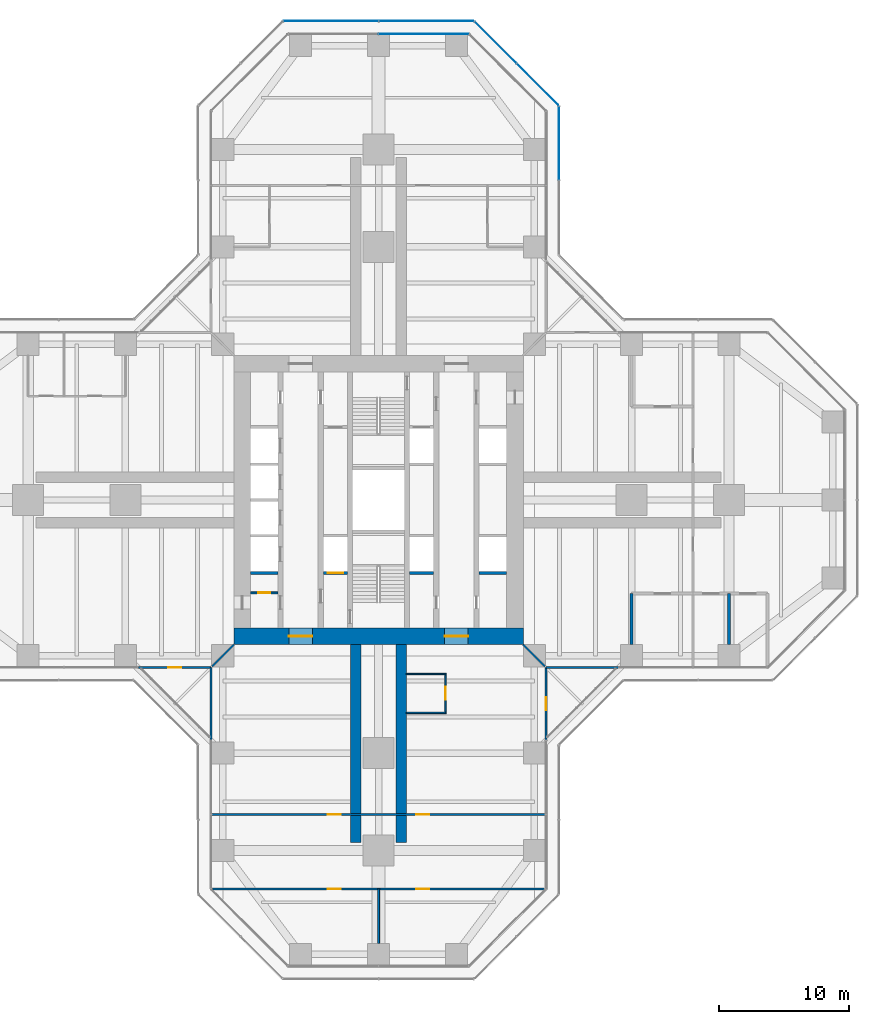
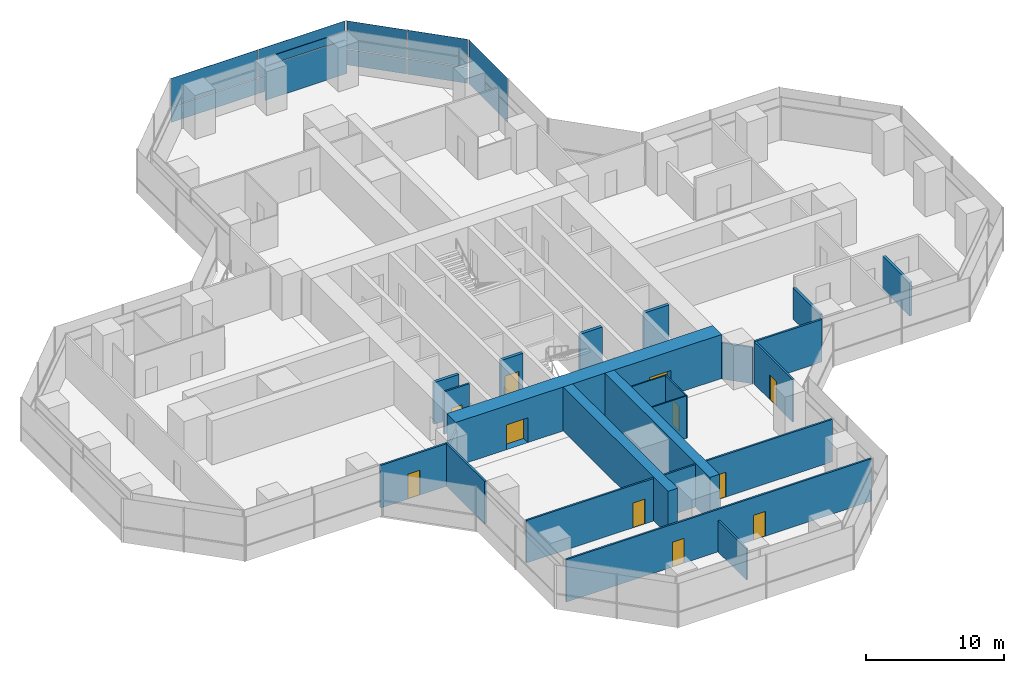
# One storey, part 17 of 22: 22 walls, 12 plates, 11 doors, 11 openings, 4 elements without a shape of their own.
"""IFC4 building model written with IfcOpenShell, lengths in metres."""

from ifc_helpers import new_model, si_unit, direction, frame, frame_2d, origin, origin_2d, place, context, subcontext, project, spatial, rectangle, extrude, material, layer, layer_set, type_object, element, fill, aggregate, save


model = new_model("IFC4")

# Units and contexts
model_context = context("Model", 3, precision=1e-05, world=origin(), true_north=direction((0.0, 1.0)))
body_context = subcontext(model_context, "Body", "Model", "MODEL_VIEW")
ifc_project = project(units=[si_unit("LENGTHUNIT", "METRE"), si_unit("AREAUNIT", "SQUARE_METRE"), si_unit("VOLUMEUNIT", "CUBIC_METRE"), si_unit("PLANEANGLEUNIT", "RADIAN"), si_unit("MASSUNIT", "GRAM", prefix="KILO")], contexts=[model_context])

# Site, building, storey
site_placement = place(None, origin())
site = spatial("IfcSite", under=ifc_project, at=site_placement, CompositionType="ELEMENT")
building_placement = place(site_placement, origin())
building = spatial("IfcBuilding", under=site, at=building_placement, Name="Mizan Broadcast Tower", CompositionType="ELEMENT")
storey_placement = place(building_placement, frame((0.0, 0.0, 82.5)))
storey = spatial("IfcBuildingStorey", under=building, at=storey_placement, Name="L17", CompositionType="ELEMENT", Elevation=82.5)

# Curtain wall, plates
ifc_material_1 = material(Name="Aluminium framed glazing", Category="aluminium")
curtain_wall_type_1 = type_object("IfcCurtainWallType", Name="INNER SKIN LOW ZONE", PredefinedType="USERDEFINED", material=ifc_material_1)
curtain_wall_1_placement = place(storey_placement, origin())
curtain_wall_1 = element("IfcCurtainWall", 1, at=curtain_wall_1_placement, inside=storey, type_object=curtain_wall_type_1, Name="Inner skin low zone L17 N end", ObjectType="INNER SKIN LOW ZONE", PredefinedType="USERDEFINED")
ifc_material_2 = material(Name="Double glazing, clear low-e", Category="glass")
ifc_layer_1 = layer(ifc_material_2, 0.028076171875)
ifc_layer_set_1 = layer_set([ifc_layer_1], Name="Double glazing, clear low-e")
plate_type_1 = type_object("IfcPlateType", Name="INNER SKIN GLAZING UNIT", PredefinedType="CURTAIN_PANEL", material=ifc_layer_set_1)
plate_1_placement = place(storey_placement, frame((3.46435546875, 35.89990234375, 0.0), z_axis=(0.0, 0.0, 1.0), x_axis=(-1.0, 0.0, 0.0)))
plate_1 = element("IfcPlate", 2, at=plate_1_placement, type_object=plate_type_1, Name="Inner skin low zone L17 N end panel 1.1", PredefinedType="CURTAIN_PANEL", context=body_context, shape_type="SweptSolid", body=[
    extrude(rectangle(XDim=6.86865234375, YDim=0.028076171875, at=origin_2d()), origin(), (0.0, 0.0, 1.0), 3.0),
])
ifc_material_3 = material(Name="Insulated aluminium spandrel panel, pale anodised", Category="aluminium")
ifc_layer_2 = layer(ifc_material_3, 0.050048828125)
ifc_layer_set_2 = layer_set([ifc_layer_2], Name="Insulated aluminium spandrel panel, pale anodised")
plate_type_2 = type_object("IfcPlateType", Name="INNER SKIN SPANDREL PANEL", PredefinedType="CURTAIN_PANEL", material=ifc_layer_set_2)
plate_2_placement = place(storey_placement, frame((3.46435546875, 35.89990234375, 3.06005859375), z_axis=(0.0, 0.0, 1.0), x_axis=(-1.0, 0.0, 0.0)))
plate_2 = element("IfcPlate", 3, at=plate_2_placement, type_object=plate_type_2, Name="Inner skin low zone L17 N end panel 1.2", PredefinedType="CURTAIN_PANEL", context=body_context, shape_type="SweptSolid", body=[
    extrude(rectangle(XDim=6.86865234375, YDim=0.050048828125, at=origin_2d()), origin(), (0.0, 0.0, 1.0), 0.7099609375),
])
aggregate(curtain_wall_1, [plate_1, plate_2])

ifc_material_4 = material(Name="Aluminium framed glazing", Category="aluminium")
curtain_wall_type_2 = type_object("IfcCurtainWallType", Name="OUTER SKIN", PredefinedType="USERDEFINED", material=ifc_material_4)
curtain_wall_2_placement = place(storey_placement, origin())
curtain_wall_2 = element("IfcCurtainWall", 4, at=curtain_wall_2_placement, inside=storey, type_object=curtain_wall_type_2, Name="Outer skin L17 N chamfer", ObjectType="OUTER SKIN", PredefinedType="USERDEFINED")
ifc_material_5 = material(Name="Laminated clear glass", Category="glass")
ifc_layer_3 = layer(ifc_material_5, 0.02001953125)
ifc_layer_set_3 = layer_set([ifc_layer_3], Name="Laminated clear glass")
plate_type_3 = type_object("IfcPlateType", Name="OUTER SKIN CLEAR GLASS", PredefinedType="CURTAIN_PANEL", material=ifc_layer_set_3)
plate_3_placement = place(storey_placement, frame((12.254150390625, 32.018798828125, 0.0), z_axis=(0.0, 0.0, 1.0), x_axis=(-0.707106781187, 0.707106781187, 0.0)))
plate_3 = element("IfcPlate", 5, at=plate_3_placement, type_object=plate_type_3, Name="Outer skin L17 N chamfer panel 1.1", PredefinedType="CURTAIN_PANEL", context=body_context, shape_type="SweptSolid", body=[
    extrude(rectangle(XDim=4.495361328125, YDim=0.02001953125, at=origin_2d()), origin(), (0.0, 0.0, 1.0), 1.3701171875),
])
plate_4_placement = place(storey_placement, frame((12.254150390625, 32.018798828125, 1.43017578125), z_axis=(0.0, 0.0, 1.0), x_axis=(-0.707106781187, 0.707106781187, 0.0)))
plate_4 = element("IfcPlate", 6, at=plate_4_placement, type_object=plate_type_3, Name="Outer skin L17 N chamfer panel 1.2", PredefinedType="CURTAIN_PANEL", context=body_context, shape_type="SweptSolid", body=[
    extrude(rectangle(XDim=4.495361328125, YDim=0.02001953125, at=origin_2d()), origin(), (0.0, 0.0, 1.0), 2.469970703125),
])

curtain_wall_3_placement = place(storey_placement, origin())
curtain_wall_3 = element("IfcCurtainWall", 7, at=curtain_wall_3_placement, inside=storey, type_object=curtain_wall_type_2, Name="Outer skin L17 N end", ObjectType="OUTER SKIN", PredefinedType="USERDEFINED")
plate_5_placement = place(storey_placement, frame((3.66650390625, 36.89990234375, 0.0), z_axis=(0.0, 0.0, 1.0), x_axis=(-1.0, 0.0, 0.0)))
plate_5 = element("IfcPlate", 8, at=plate_5_placement, type_object=plate_type_3, Name="Outer skin L17 N end panel 1.1", PredefinedType="CURTAIN_PANEL", context=body_context, shape_type="SweptSolid", body=[
    extrude(rectangle(XDim=7.252685546875, YDim=0.02001953125, at=origin_2d()), origin(), (0.0, 0.0, 1.0), 1.3701171875),
])
plate_6_placement = place(storey_placement, frame((3.66650390625, 36.89990234375, 1.43017578125), z_axis=(0.0, 0.0, 1.0), x_axis=(-1.0, 0.0, 0.0)))
plate_6 = element("IfcPlate", 9, at=plate_6_placement, type_object=plate_type_3, Name="Outer skin L17 N end panel 1.2", PredefinedType="CURTAIN_PANEL", context=body_context, shape_type="SweptSolid", body=[
    extrude(rectangle(XDim=7.252685546875, YDim=0.02001953125, at=origin_2d()), origin(), (0.0, 0.0, 1.0), 2.469970703125),
])
plate_7_placement = place(storey_placement, frame((-3.66650390625, 36.89990234375, 0.0), z_axis=(0.0, 0.0, 1.0), x_axis=(-1.0, 0.0, 0.0)))
plate_7 = element("IfcPlate", 10, at=plate_7_placement, type_object=plate_type_3, Name="Outer skin L17 N end panel 2.1", PredefinedType="CURTAIN_PANEL", context=body_context, shape_type="SweptSolid", body=[
    extrude(rectangle(XDim=7.252685546875, YDim=0.02001953125, at=origin_2d()), origin(), (0.0, 0.0, 1.0), 1.3701171875),
])
plate_8_placement = place(storey_placement, frame((-3.66650390625, 36.89990234375, 1.43017578125), z_axis=(0.0, 0.0, 1.0), x_axis=(-1.0, 0.0, 0.0)))
plate_8 = element("IfcPlate", 11, at=plate_8_placement, type_object=plate_type_3, Name="Outer skin L17 N end panel 2.2", PredefinedType="CURTAIN_PANEL", context=body_context, shape_type="SweptSolid", body=[
    extrude(rectangle(XDim=7.252685546875, YDim=0.02001953125, at=origin_2d()), origin(), (0.0, 0.0, 1.0), 2.469970703125),
])
aggregate(curtain_wall_3, [plate_5, plate_6, plate_7, plate_8])

curtain_wall_4_placement = place(storey_placement, origin())
curtain_wall_4 = element("IfcCurtainWall", 12, at=curtain_wall_4_placement, inside=storey, type_object=curtain_wall_type_2, Name="Outer skin L17 N side", ObjectType="OUTER SKIN", PredefinedType="USERDEFINED")
ifc_material_6 = material(Name="Perforated aluminium, pale anodised", Category="aluminium")
ifc_layer_4 = layer(ifc_material_6, 0.011962890625)
ifc_layer_set_4 = layer_set([ifc_layer_4], Name="Perforated aluminium, pale anodised")
plate_type_4 = type_object("IfcPlateType", Name="OUTER SKIN PERFORATED SCREEN", PredefinedType="USERDEFINED", material=ifc_layer_set_4)
plate_9_placement = place(storey_placement, frame((13.89990234375, 27.477783203125, 0.0), z_axis=(0.0, 0.0, 1.0), x_axis=(0.0, 1.0, 0.0)))
plate_9 = element("IfcPlate", 13, at=plate_9_placement, type_object=plate_type_4, Name="Outer skin L17 N side panel 2.1", ObjectType="SCREEN", PredefinedType="USERDEFINED", context=body_context, shape_type="SweptSolid", body=[
    extrude(rectangle(XDim=5.6298828125, YDim=0.011962890625, at=origin_2d()), origin(), (0.0, 0.0, 1.0), 1.3701171875),
])
plate_10_placement = place(storey_placement, frame((13.89990234375, 27.477783203125, 1.43017578125), z_axis=(0.0, 0.0, 1.0), x_axis=(0.0, 1.0, 0.0)))
plate_10 = element("IfcPlate", 14, at=plate_10_placement, type_object=plate_type_4, Name="Outer skin L17 N side panel 2.2", ObjectType="SCREEN", PredefinedType="USERDEFINED", context=body_context, shape_type="SweptSolid", body=[
    extrude(rectangle(XDim=5.6298828125, YDim=0.011962890625, at=origin_2d()), origin(), (0.0, 0.0, 1.0), 2.469970703125),
])
aggregate(curtain_wall_4, [plate_9, plate_10])

# Plate
plate_11_placement = place(storey_placement, frame((9.018798828125, 35.254150390625, 0.0), z_axis=(0.0, 0.0, 1.0), x_axis=(-0.707106781187, 0.707106781187, 0.0)))
plate_11 = element("IfcPlate", 15, at=plate_11_placement, type_object=plate_type_4, Name="Outer skin L17 N chamfer panel 2.1", ObjectType="SCREEN", PredefinedType="USERDEFINED", context=body_context, shape_type="SweptSolid", body=[
    extrude(rectangle(XDim=4.495361328125, YDim=0.011962890625, at=origin_2d()), origin(), (0.0, 0.0, 1.0), 1.3701171875),
])

plate_12_placement = place(storey_placement, frame((9.018798828125, 35.254150390625, 1.43017578125), z_axis=(0.0, 0.0, 1.0), x_axis=(-0.707106781187, 0.707106781187, 0.0)))
plate_12 = element("IfcPlate", 16, at=plate_12_placement, type_object=plate_type_4, Name="Outer skin L17 N chamfer panel 2.2", ObjectType="SCREEN", PredefinedType="USERDEFINED", context=body_context, shape_type="SweptSolid", body=[
    extrude(rectangle(XDim=4.495361328125, YDim=0.011962890625, at=origin_2d()), origin(), (0.0, 0.0, 1.0), 2.469970703125),
])

aggregate(curtain_wall_2, [plate_3, plate_4, plate_11, plate_12])

# Wall, opening, door
ifc_material_7 = material(Name="Concrete blockwork", Category="masonry")
ifc_layer_5 = layer(ifc_material_7, 0.14990234375)
ifc_layer_set_5 = layer_set([ifc_layer_5], Name="Concrete blockwork")
wall_type_1 = type_object("IfcWallType", Name="CORE PARTITION 150", PredefinedType="SOLIDWALL", material=ifc_layer_set_5)
wall_1_placement = place(storey_placement, frame((-9.85009765625, -7.14990234375, 0.0), z_axis=(0.0, 0.0, 1.0), x_axis=(1.0, 0.0, 0.0)))
wall_1 = element("IfcWall", 17, at=wall_1_placement, inside=storey, type_object=wall_type_1, Name="Core partition CORE/XPW", PredefinedType="SOLIDWALL", context=body_context, shape_type="SweptSolid", body=[
    extrude(rectangle(XDim=2.10009765625, YDim=0.14990234375, at=frame_2d((1.050048828125, 0.0))), origin(), (0.0, 0.0, 1.0), 3.77001953125),
])
opening_1_placement = place(wall_1_placement, frame((0.60009765625, 0.0, 0.0)))
opening_1 = element("IfcOpeningElement", 18, at=opening_1_placement, cuts=wall_1, Name="Opening D09F", PredefinedType="OPENING", context=body_context, shape_type="SweptSolid", body=[
    extrude(rectangle(XDim=0.89990234375, YDim=2.10009765625, at=frame_2d((0.449951171875, 1.050048828125))), frame((0.0, 0.0849609375, 0.0), z_axis=(0.0, -1.0, 0.0), x_axis=(1.0, 0.0, 0.0)), (0.0, 0.0, 1.0), 0.169921875),
])
ifc_material_8 = material(Name="Steel door leaf in steel frame", Category="steel")
door_type_1 = type_object("IfcDoorType", Name="CORE ROOM DOOR 900 FD90", OperationType="SINGLE_SWING_LEFT", PredefinedType="DOOR", material=ifc_material_8)
door_1_placement = place(opening_1_placement, origin())
door_1 = element("IfcDoor", 19, at=door_1_placement, inside=storey, type_object=door_type_1, Name="Comms cupboard door", OperationType="SINGLE_SWING_RIGHT", OverallHeight=2.10009765625, OverallWidth=0.89990234375, PredefinedType="DOOR", context=body_context, shape_type="SweptSolid", body=[
    extrude(rectangle(XDim=0.89990234375, YDim=2.10009765625, at=frame_2d((0.449951171875, 1.050048828125))), frame((0.0, 0.02490234375, 0.0), z_axis=(0.0, -1.0, 0.0), x_axis=(1.0, 0.0, 0.0)), (0.0, 0.0, 1.0), 0.050048828125),
])
fill(opening_1, door_1)

# Wall, openings, doors
ifc_material_9 = material(Name="Concrete C70/85", Category="concrete")
ifc_layer_6 = layer(ifc_material_9, 1.300048828125)
ifc_layer_set_6 = layer_set([ifc_layer_6], Name="Concrete C70/85")
wall_type_2 = type_object("IfcWallType", Name="CORE WALL 1300", PredefinedType="SHEAR", material=ifc_layer_set_6)
wall_2_placement = place(storey_placement, frame((11.14990234375, -10.5, 0.0), z_axis=(0.0, 0.0, 1.0), x_axis=(-1.0, 0.0, 0.0)))
wall_2 = element("IfcWall", 20, at=wall_2_placement, inside=storey, type_object=wall_type_2, Name="Core wall S L17", PredefinedType="SHEAR", context=body_context, shape_type="SweptSolid", body=[
    extrude(rectangle(XDim=22.2998046875, YDim=1.300048828125, at=frame_2d((11.14990234375, 0.0))), origin(), (0.0, 0.0, 1.0), 3.89990234375),
])
opening_2_placement = place(wall_2_placement, frame((16.25, 0.0, 0.0)))
opening_2 = element("IfcOpeningElement", 21, at=opening_2_placement, cuts=wall_2, Name="Opening D18F", PredefinedType="OPENING", context=body_context, shape_type="SweptSolid", body=[
    extrude(rectangle(XDim=1.800048828125, YDim=2.199951171875, at=frame_2d((0.89990234375, 1.10009765625))), frame((0.0, 0.659912109375, 0.0), z_axis=(0.0, -1.0, 0.0), x_axis=(1.0, 0.0, 0.0)), (0.0, 0.0, 1.0), 1.320068359375),
])
opening_3_placement = place(wall_2_placement, frame((4.25, 0.0, 0.0)))
opening_3 = element("IfcOpeningElement", 22, at=opening_3_placement, cuts=wall_2, Name="Opening D18F", PredefinedType="OPENING", context=body_context, shape_type="SweptSolid", body=[
    extrude(rectangle(XDim=1.800048828125, YDim=2.199951171875, at=frame_2d((0.89990234375, 1.10009765625))), frame((0.0, 0.659912109375, 0.0), z_axis=(0.0, -1.0, 0.0), x_axis=(1.0, 0.0, 0.0)), (0.0, 0.0, 1.0), 1.320068359375),
])
ifc_material_10 = material(Name="Steel door leaf in steel frame", Category="steel")
door_type_2 = type_object("IfcDoorType", Name="LOBBY DOUBLE DOOR 1800 FD90", OperationType="DOUBLE_DOOR_DOUBLE_SWING", PredefinedType="DOOR", material=ifc_material_10)
door_2_placement = place(opening_2_placement, origin())
door_2 = element("IfcDoor", 23, at=door_2_placement, inside=storey, type_object=door_type_2, Name="West lift lobby south door", OperationType="DOUBLE_DOOR_DOUBLE_SWING", OverallHeight=2.199951171875, OverallWidth=1.800048828125, PredefinedType="DOOR", context=body_context, shape_type="SweptSolid", body=[
    extrude(rectangle(XDim=1.800048828125, YDim=2.199951171875, at=frame_2d((0.89990234375, 1.10009765625))), frame((0.0, 0.02490234375, 0.0), z_axis=(0.0, -1.0, 0.0), x_axis=(1.0, 0.0, 0.0)), (0.0, 0.0, 1.0), 0.050048828125),
])
fill(opening_2, door_2)
door_3_placement = place(opening_3_placement, origin())
door_3 = element("IfcDoor", 24, at=door_3_placement, inside=storey, type_object=door_type_2, Name="East lift lobby south door", OperationType="DOUBLE_DOOR_DOUBLE_SWING", OverallHeight=2.199951171875, OverallWidth=1.800048828125, PredefinedType="DOOR", context=body_context, shape_type="SweptSolid", body=[
    extrude(rectangle(XDim=1.800048828125, YDim=2.199951171875, at=frame_2d((0.89990234375, 1.10009765625))), frame((0.0, 0.02490234375, 0.0), z_axis=(0.0, -1.0, 0.0), x_axis=(1.0, 0.0, 0.0)), (0.0, 0.0, 1.0), 0.050048828125),
])
fill(opening_3, door_3)

# Wall
ifc_material_11 = material(Name="Aluminium framed glazed screen", Category="aluminium")
ifc_layer_7 = layer(ifc_material_11, 0.159912109375)
ifc_layer_set_7 = layer_set([ifc_layer_7], Name="Aluminium framed glazed screen")
wall_type_3 = type_object("IfcWallType", Name="GLAZED SCREEN WALL 160", PredefinedType="SOLIDWALL", material=ifc_layer_set_7)
wall_3_placement = place(storey_placement, frame((12.89990234375, -12.89990234375, 0.0), z_axis=(0.0, 0.0, 1.0), x_axis=(1.0, 0.0, 0.0)))
element("IfcWall", 25, at=wall_3_placement, inside=storey, type_object=wall_type_3, Name="Winter garden screen L17 E", PredefinedType="SOLIDWALL", context=body_context, shape_type="SweptSolid", body=[
    extrude(rectangle(XDim=5.60009765625, YDim=0.159912109375, at=frame_2d((2.800048828125, 0.0))), origin(), (0.0, 0.0, 1.0), 3.77001953125),
])

# Wall, opening, door
wall_4_placement = place(storey_placement, frame((-18.5, -12.89990234375, 0.0), z_axis=(0.0, 0.0, 1.0), x_axis=(1.0, 0.0, 0.0)))
wall_4 = element("IfcWall", 26, at=wall_4_placement, inside=storey, type_object=wall_type_3, Name="Winter garden screen L17 W", PredefinedType="SOLIDWALL", context=body_context, shape_type="SweptSolid", body=[
    extrude(rectangle(XDim=5.60009765625, YDim=0.159912109375, at=frame_2d((2.800048828125, 0.0))), origin(), (0.0, 0.0, 1.0), 3.77001953125),
])
opening_4_placement = place(wall_4_placement, frame((2.300048828125, 0.0, 0.0)))
opening_4 = element("IfcOpeningElement", 27, at=opening_4_placement, cuts=wall_4, Name="Opening WGD", PredefinedType="OPENING", context=body_context, shape_type="SweptSolid", body=[
    extrude(rectangle(XDim=1.0, YDim=2.199951171875, at=frame_2d((0.5, 1.10009765625))), frame((0.0, 0.08984375, 0.0), z_axis=(0.0, -1.0, 0.0), x_axis=(1.0, 0.0, 0.0)), (0.0, 0.0, 1.0), 0.179931640625),
])
ifc_material_12 = material(Name="Aluminium framed glazed door", Category="aluminium")
door_type_3 = type_object("IfcDoorType", Name="WINTER GARDEN DOOR 1000 GLAZED", OperationType="SINGLE_SWING_LEFT", PredefinedType="DOOR", material=ifc_material_12)
door_4_placement = place(opening_4_placement, origin())
door_4 = element("IfcDoor", 28, at=door_4_placement, inside=storey, type_object=door_type_3, Name="Winter garden door L17 W", OperationType="SINGLE_SWING_RIGHT", OverallHeight=2.199951171875, OverallWidth=1.0, PredefinedType="DOOR", context=body_context, shape_type="SweptSolid", body=[
    extrude(rectangle(XDim=1.0, YDim=2.199951171875, at=frame_2d((0.5, 1.10009765625))), frame((0.0, 0.02490234375, 0.0), z_axis=(0.0, -1.0, 0.0), x_axis=(1.0, 0.0, 0.0)), (0.0, 0.0, 1.0), 0.050048828125),
])
fill(opening_4, door_4)

# Wall
wall_5_placement = place(storey_placement, frame((-12.89990234375, -12.89990234375, 0.0), z_axis=(0.0, 0.0, 1.0), x_axis=(0.0, -1.0, 0.0)))
element("IfcWall", 29, at=wall_5_placement, inside=storey, type_object=wall_type_3, Name="Winter garden screen L17 S", PredefinedType="SOLIDWALL", context=body_context, shape_type="SweptSolid", body=[
    extrude(rectangle(XDim=5.60009765625, YDim=0.159912109375, at=frame_2d((2.800048828125, 0.0))), origin(), (0.0, 0.0, 1.0), 3.77001953125),
])

# Wall, opening, door
wall_6_placement = place(storey_placement, frame((12.89990234375, -18.5, 0.0), z_axis=(0.0, 0.0, 1.0), x_axis=(0.0, 1.0, 0.0)))
wall_6 = element("IfcWall", 30, at=wall_6_placement, inside=storey, type_object=wall_type_3, Name="Winter garden screen L17 S", PredefinedType="SOLIDWALL", context=body_context, shape_type="SweptSolid", body=[
    extrude(rectangle(XDim=5.60009765625, YDim=0.159912109375, at=frame_2d((2.800048828125, 0.0))), origin(), (0.0, 0.0, 1.0), 3.77001953125),
])
opening_5_placement = place(wall_6_placement, frame((2.300048828125, 0.0, 0.0)))
opening_5 = element("IfcOpeningElement", 31, at=opening_5_placement, cuts=wall_6, Name="Opening WGD", PredefinedType="OPENING", context=body_context, shape_type="SweptSolid", body=[
    extrude(rectangle(XDim=1.0, YDim=2.199951171875, at=frame_2d((0.5, 1.10009765625))), frame((0.0, 0.08984375, 0.0), z_axis=(0.0, -1.0, 0.0), x_axis=(1.0, 0.0, 0.0)), (0.0, 0.0, 1.0), 0.179931640625),
])
door_5_placement = place(opening_5_placement, origin())
door_5 = element("IfcDoor", 32, at=door_5_placement, inside=storey, type_object=door_type_3, Name="Winter garden door L17 S", OperationType="SINGLE_SWING_RIGHT", OverallHeight=2.199951171875, OverallWidth=1.0, PredefinedType="DOOR", context=body_context, shape_type="SweptSolid", body=[
    extrude(rectangle(XDim=1.0, YDim=2.199951171875, at=frame_2d((0.5, 1.10009765625))), frame((0.0, 0.02490234375, 0.0), z_axis=(0.0, -1.0, 0.0), x_axis=(1.0, 0.0, 0.0)), (0.0, 0.0, 1.0), 0.050048828125),
])
fill(opening_5, door_5)

# Wall
ifc_material_13 = material(Name="Concrete blockwork", Category="masonry")
ifc_layer_8 = layer(ifc_material_13, 0.25)
ifc_layer_set_8 = layer_set([ifc_layer_8], Name="Concrete blockwork")
wall_type_4 = type_object("IfcWallType", Name="LOBBY ENCLOSURE WALL 250", PredefinedType="SOLIDWALL", material=ifc_layer_set_8)
wall_7_placement = place(storey_placement, frame((-9.85009765625, -5.625, 0.0), z_axis=(0.0, 0.0, 1.0), x_axis=(1.0, 0.0, 0.0)))
element("IfcWall", 33, at=wall_7_placement, inside=storey, type_object=wall_type_4, Name="Lobby enclosure wall CORE/BW1S", PredefinedType="SOLIDWALL", context=body_context, shape_type="SweptSolid", body=[
    extrude(rectangle(XDim=2.10009765625, YDim=0.25, at=frame_2d((1.050048828125, 0.0))), origin(), (0.0, 0.0, 1.0), 3.699951171875),
])

# Wall, opening, door
wall_8_placement = place(storey_placement, frame((-4.25, -5.625, 0.0), z_axis=(0.0, 0.0, 1.0), x_axis=(1.0, 0.0, 0.0)))
wall_8 = element("IfcWall", 34, at=wall_8_placement, inside=storey, type_object=wall_type_4, Name="Lobby enclosure wall CORE/BW2S", PredefinedType="SOLIDWALL", context=body_context, shape_type="SweptSolid", body=[
    extrude(rectangle(XDim=1.85009765625, YDim=0.25, at=frame_2d((0.925048828125, 0.0))), origin(), (0.0, 0.0, 1.0), 3.699951171875),
])
opening_6_placement = place(wall_8_placement, frame((0.324951171875, 0.0, 0.0)))
opening_6 = element("IfcOpeningElement", 35, at=opening_6_placement, cuts=wall_8, Name="Opening LDF", PredefinedType="OPENING", context=body_context, shape_type="SweptSolid", body=[
    extrude(rectangle(XDim=1.199951171875, YDim=2.199951171875, at=frame_2d((0.60009765625, 1.10009765625))), frame((0.0, 0.135009765625, 0.0), z_axis=(0.0, -1.0, 0.0), x_axis=(1.0, 0.0, 0.0)), (0.0, 0.0, 1.0), 0.27001953125),
])
ifc_material_14 = material(Name="Steel door leaf in steel frame", Category="steel")
door_type_4 = type_object("IfcDoorType", Name="FIREFIGHTING LIFT LANDING DOOR 1200", OperationType="SLIDING_TO_LEFT", PredefinedType="DOOR", material=ifc_material_14)
door_6_placement = place(opening_6_placement, origin())
door_6 = element("IfcDoor", 36, at=door_6_placement, inside=storey, type_object=door_type_4, Name="Landing door FF1", OperationType="SLIDING_TO_LEFT", OverallHeight=2.199951171875, OverallWidth=1.199951171875, PredefinedType="DOOR", context=body_context, shape_type="SweptSolid", body=[
    extrude(rectangle(XDim=1.199951171875, YDim=2.199951171875, at=frame_2d((0.60009765625, 1.10009765625))), frame((0.0, 0.02490234375, 0.0), z_axis=(0.0, -1.0, 0.0), x_axis=(1.0, 0.0, 0.0)), (0.0, 0.0, 1.0), 0.050048828125),
])
fill(opening_6, door_6)

# Walls
wall_9_placement = place(storey_placement, frame((2.39990234375, -5.625, 0.0), z_axis=(0.0, 0.0, 1.0), x_axis=(1.0, 0.0, 0.0)))
element("IfcWall", 37, at=wall_9_placement, inside=storey, type_object=wall_type_4, Name="Lobby enclosure wall CORE/BE2S", PredefinedType="SOLIDWALL", context=body_context, shape_type="SweptSolid", body=[
    extrude(rectangle(XDim=1.85009765625, YDim=0.25, at=frame_2d((0.925048828125, 0.0))), origin(), (0.0, 0.0, 1.0), 3.699951171875),
])
wall_10_placement = place(storey_placement, frame((7.75, -5.625, 0.0), z_axis=(0.0, 0.0, 1.0), x_axis=(1.0, 0.0, 0.0)))
element("IfcWall", 38, at=wall_10_placement, inside=storey, type_object=wall_type_4, Name="Lobby enclosure wall CORE/BE1S", PredefinedType="SOLIDWALL", context=body_context, shape_type="SweptSolid", body=[
    extrude(rectangle(XDim=2.10009765625, YDim=0.25, at=frame_2d((1.050048828125, 0.0))), origin(), (0.0, 0.0, 1.0), 3.699951171875),
])

# Wall, openings, doors
ifc_material_15 = material(Name="Gypsum board on steel studs", Category="steel")
ifc_layer_9 = layer(ifc_material_15, 0.14990234375)
ifc_layer_set_9 = layer_set([ifc_layer_9], Name="Gypsum board on steel studs")
wall_type_5 = type_object("IfcWallType", Name="PARTITION 150", PredefinedType="PARTITIONING", material=ifc_layer_set_9)
wall_11_placement = place(storey_placement, frame((-12.820068359375, -24.22900390625, 0.0), z_axis=(0.0, 0.0, 1.0), x_axis=(1.0, 0.0, 0.0)))
wall_11 = element("IfcWall", 39, at=wall_11_placement, inside=storey, type_object=wall_type_5, Name="Partition PT/SX1", PredefinedType="PARTITIONING", context=body_context, shape_type="SweptSolid", body=[
    extrude(rectangle(XDim=25.64013671875, YDim=0.14990234375, at=frame_2d((12.820068359375, 0.0))), origin(), (0.0, 0.0, 1.0), 3.77001953125),
])
opening_7_placement = place(wall_11_placement, frame((15.719970703125, 0.0, 0.0)))
opening_7 = element("IfcOpeningElement", 40, at=opening_7_placement, cuts=wall_11, Name="Opening D10", PredefinedType="OPENING", context=body_context, shape_type="SweptSolid", body=[
    extrude(rectangle(XDim=1.0, YDim=2.199951171875, at=frame_2d((0.5, 1.10009765625))), frame((0.0, 0.0849609375, 0.0), z_axis=(0.0, -1.0, 0.0), x_axis=(1.0, 0.0, 0.0)), (0.0, 0.0, 1.0), 0.169921875),
])
opening_8_placement = place(wall_11_placement, frame((8.919921875, 0.0, 0.0)))
opening_8 = element("IfcOpeningElement", 41, at=opening_8_placement, cuts=wall_11, Name="Opening D10", PredefinedType="OPENING", context=body_context, shape_type="SweptSolid", body=[
    extrude(rectangle(XDim=1.0, YDim=2.199951171875, at=frame_2d((0.5, 1.10009765625))), frame((0.0, 0.0849609375, 0.0), z_axis=(0.0, -1.0, 0.0), x_axis=(1.0, 0.0, 0.0)), (0.0, 0.0, 1.0), 0.169921875),
])
ifc_material_16 = material(Name="Timber door leaf in aluminium frame", Category="wood")
door_type_5 = type_object("IfcDoorType", Name="ROOM DOOR 1000", OperationType="SINGLE_SWING_LEFT", PredefinedType="DOOR", material=ifc_material_16)
door_7_placement = place(opening_7_placement, origin())
door_7 = element("IfcDoor", 42, at=door_7_placement, inside=storey, type_object=door_type_5, Name="Open office door", OperationType="SINGLE_SWING_RIGHT", OverallHeight=2.199951171875, OverallWidth=1.0, PredefinedType="DOOR", context=body_context, shape_type="SweptSolid", body=[
    extrude(rectangle(XDim=1.0, YDim=2.199951171875, at=frame_2d((0.5, 1.10009765625))), frame((0.0, 0.02490234375, 0.0), z_axis=(0.0, -1.0, 0.0), x_axis=(1.0, 0.0, 0.0)), (0.0, 0.0, 1.0), 0.050048828125),
])
fill(opening_7, door_7)
door_8_placement = place(opening_8_placement, origin())
door_8 = element("IfcDoor", 43, at=door_8_placement, inside=storey, type_object=door_type_5, Name="Open office door", OperationType="SINGLE_SWING_LEFT", OverallHeight=2.199951171875, OverallWidth=1.0, PredefinedType="DOOR", context=body_context, shape_type="SweptSolid", body=[
    extrude(rectangle(XDim=1.0, YDim=2.199951171875, at=frame_2d((0.5, 1.10009765625))), frame((0.0, 0.02490234375, 0.0), z_axis=(0.0, -1.0, 0.0), x_axis=(1.0, 0.0, 0.0)), (0.0, 0.0, 1.0), 0.050048828125),
])
fill(opening_8, door_8)

wall_12_placement = place(storey_placement, frame((-12.786376953125, -29.958984375, 0.0), z_axis=(0.0, 0.0, 1.0), x_axis=(1.0, 0.0, 0.0)))
wall_12 = element("IfcWall", 44, at=wall_12_placement, inside=storey, type_object=wall_type_5, Name="Partition PT/SX2", PredefinedType="PARTITIONING", context=body_context, shape_type="SweptSolid", body=[
    extrude(rectangle(XDim=25.57275390625, YDim=0.14990234375, at=frame_2d((12.786376953125, 0.0))), origin(), (0.0, 0.0, 1.0), 3.77001953125),
])
opening_9_placement = place(wall_12_placement, frame((15.6865234375, 0.0, 0.0)))
opening_9 = element("IfcOpeningElement", 45, at=opening_9_placement, cuts=wall_12, Name="Opening D10", PredefinedType="OPENING", context=body_context, shape_type="SweptSolid", body=[
    extrude(rectangle(XDim=1.0, YDim=2.199951171875, at=frame_2d((0.5, 1.10009765625))), frame((0.0, 0.0849609375, 0.0), z_axis=(0.0, -1.0, 0.0), x_axis=(1.0, 0.0, 0.0)), (0.0, 0.0, 1.0), 0.169921875),
])
opening_10_placement = place(wall_12_placement, frame((8.886474609375, 0.0, 0.0)))
opening_10 = element("IfcOpeningElement", 46, at=opening_10_placement, cuts=wall_12, Name="Opening D10", PredefinedType="OPENING", context=body_context, shape_type="SweptSolid", body=[
    extrude(rectangle(XDim=1.0, YDim=2.199951171875, at=frame_2d((0.5, 1.10009765625))), frame((0.0, 0.0849609375, 0.0), z_axis=(0.0, -1.0, 0.0), x_axis=(1.0, 0.0, 0.0)), (0.0, 0.0, 1.0), 0.169921875),
])
door_9_placement = place(opening_9_placement, origin())
door_9 = element("IfcDoor", 47, at=door_9_placement, inside=storey, type_object=door_type_5, Name="Open office door", OperationType="SINGLE_SWING_RIGHT", OverallHeight=2.199951171875, OverallWidth=1.0, PredefinedType="DOOR", context=body_context, shape_type="SweptSolid", body=[
    extrude(rectangle(XDim=1.0, YDim=2.199951171875, at=frame_2d((0.5, 1.10009765625))), frame((0.0, 0.02490234375, 0.0), z_axis=(0.0, -1.0, 0.0), x_axis=(1.0, 0.0, 0.0)), (0.0, 0.0, 1.0), 0.050048828125),
])
fill(opening_9, door_9)
door_10_placement = place(opening_10_placement, origin())
door_10 = element("IfcDoor", 48, at=door_10_placement, inside=storey, type_object=door_type_5, Name="Open office door", OperationType="SINGLE_SWING_LEFT", OverallHeight=2.199951171875, OverallWidth=1.0, PredefinedType="DOOR", context=body_context, shape_type="SweptSolid", body=[
    extrude(rectangle(XDim=1.0, YDim=2.199951171875, at=frame_2d((0.5, 1.10009765625))), frame((0.0, 0.02490234375, 0.0), z_axis=(0.0, -1.0, 0.0), x_axis=(1.0, 0.0, 0.0)), (0.0, 0.0, 1.0), 0.050048828125),
])
fill(opening_10, door_10)

# Walls
wall_13_placement = place(storey_placement, frame((0.0, -29.958984375, 0.0), z_axis=(0.0, 0.0, 1.0), x_axis=(0.0, -1.0, 0.0)))
element("IfcWall", 49, at=wall_13_placement, inside=storey, type_object=wall_type_5, Name="Partition PT/SES", PredefinedType="PARTITIONING", context=body_context, shape_type="SweptSolid", body=[
    extrude(rectangle(XDim=4.19091796875, YDim=0.14990234375, at=frame_2d((2.095458984375, 0.0))), origin(), (0.0, 0.0, 1.0), 2.77001953125),
])
for number, where, z_axis, x_axis, name in (
    (50, (-11.14990234375, -11.14990234375, 0.0), (0.0, 0.0, 1.0), (-0.707106781187, -0.707106781187, 0.0), "Partition PT/DGWS"),
    (51, (11.14990234375, -11.14990234375, 0.0), (0.0, 0.0, 1.0), (0.707106781187, -0.707106781187, 0.0), "Partition PT/DGES"),
):
    element("IfcWall", number, at=place(storey_placement, frame(where, z_axis=z_axis, x_axis=x_axis)), inside=storey, type_object=wall_type_5, Name=name, PredefinedType="PARTITIONING", context=body_context, shape_type="SweptSolid", body=[
        extrude(rectangle(XDim=2.362060546875, YDim=0.14990234375, at=frame_2d((1.18115234375, 0.0))), origin(), (0.0, 0.0, 1.0), 3.219970703125),
    ])
ifc_material_17 = material(Name="Twin steel stud acoustic partition, four layers of gypsum board", Category="steel")
ifc_layer_10 = layer(ifc_material_17, 0.22509765625)
ifc_layer_set_10 = layer_set([ifc_layer_10], Name="Twin steel stud acoustic partition, four layers of gypsum board")
wall_type_6 = type_object("IfcWallType", Name="PARTITION ACOUSTIC 225", PredefinedType="PARTITIONING", material=ifc_layer_set_10)
wall_14_placement = place(storey_placement, frame((19.5, -7.199951171875, 0.0), z_axis=(0.0, 0.0, 1.0), x_axis=(0.0, -1.0, 0.0)))
element("IfcWall", 52, at=wall_14_placement, inside=storey, type_object=wall_type_6, Name="Acoustic partition PT/EQN1950", PredefinedType="PARTITIONING", context=body_context, shape_type="SweptSolid", body=[
    extrude(rectangle(XDim=3.949951171875, YDim=0.22509765625, at=frame_2d((1.97509765625, 0.0))), origin(), (0.0, 0.0, 1.0), 2.77001953125),
])
wall_15_placement = place(storey_placement, frame((27.0, -7.199951171875, 0.0), z_axis=(0.0, 0.0, 1.0), x_axis=(0.0, -1.0, 0.0)))
element("IfcWall", 53, at=wall_15_placement, inside=storey, type_object=wall_type_6, Name="Acoustic partition PT/EQN2700", PredefinedType="PARTITIONING", context=body_context, shape_type="SweptSolid", body=[
    extrude(rectangle(XDim=3.949951171875, YDim=0.22509765625, at=frame_2d((1.97509765625, 0.0))), origin(), (0.0, 0.0, 1.0), 2.969970703125),
])
ifc_material_18 = material(Name="Glazed aluminium partition on aluminium track", Category="aluminium")
ifc_layer_11 = layer(ifc_material_18, 0.10009765625)
ifc_layer_set_11 = layer_set([ifc_layer_11], Name="Glazed aluminium partition on aluminium track")
wall_type_7 = type_object("IfcWallType", Name="PARTITION GLAZED OFFICE FRONT 100", PredefinedType="PARTITIONING", material=ifc_layer_set_11)
for number, where, z_axis, x_axis, name in (
    (54, (2.14990234375, -13.39990234375, 0.0), (0.0, 0.0, 1.0), (1.0, 0.0, 0.0), "Glazed office front PT/SKP0a"),
    (55, (2.14990234375, -16.39990234375, 0.0), (0.0, 0.0, 1.0), (1.0, 0.0, 0.0), "Glazed office front PT/SKP0b"),
):
    element("IfcWall", number, at=place(storey_placement, frame(where, z_axis=z_axis, x_axis=x_axis)), inside=storey, type_object=wall_type_7, Name=name, PredefinedType="PARTITIONING", context=body_context, shape_type="SweptSolid", body=[
        extrude(rectangle(XDim=3.0, YDim=0.10009765625, at=frame_2d((1.5, 0.0))), origin(), (0.0, 0.0, 1.0), 3.77001953125),
    ])

# Wall, opening, door
wall_16_placement = place(storey_placement, frame((5.14990234375, -13.35009765625, 0.0), z_axis=(0.0, 0.0, 1.0), x_axis=(0.0, -1.0, 0.0)))
wall_16 = element("IfcWall", 56, at=wall_16_placement, inside=storey, type_object=wall_type_7, Name="Glazed office front PT/SKP0f", PredefinedType="PARTITIONING", context=body_context, shape_type="SweptSolid", body=[
    extrude(rectangle(XDim=3.099853515625, YDim=0.10009765625, at=frame_2d((1.5498046875, 0.0))), origin(), (0.0, 0.0, 1.0), 3.77001953125),
])
opening_11_placement = place(wall_16_placement, frame((1.050048828125, 0.0, 0.0)))
opening_11 = element("IfcOpeningElement", 57, at=opening_11_placement, cuts=wall_16, Name="Opening D10O", PredefinedType="OPENING", context=body_context, shape_type="SweptSolid", body=[
    extrude(rectangle(XDim=1.0, YDim=2.199951171875, at=frame_2d((0.5, 1.10009765625))), frame((0.0, 0.06005859375, 0.0), z_axis=(0.0, -1.0, 0.0), x_axis=(1.0, 0.0, 0.0)), (0.0, 0.0, 1.0), 0.1201171875),
])
ifc_material_19 = material(Name="Timber door leaf in aluminium frame", Category="wood")
door_type_6 = type_object("IfcDoorType", Name="OFFICE DOOR 1000 GLAZED", OperationType="SINGLE_SWING_LEFT", PredefinedType="DOOR", material=ifc_material_19)
door_11_placement = place(opening_11_placement, origin())
door_11 = element("IfcDoor", 58, at=door_11_placement, inside=storey, type_object=door_type_6, Name="Pantry door", OperationType="SINGLE_SWING_LEFT", OverallHeight=2.199951171875, OverallWidth=1.0, PredefinedType="DOOR", context=body_context, shape_type="SweptSolid", body=[
    extrude(rectangle(XDim=1.0, YDim=2.199951171875, at=frame_2d((0.5, 1.10009765625))), frame((0.0, 0.02490234375, 0.0), z_axis=(0.0, -1.0, 0.0), x_axis=(1.0, 0.0, 0.0)), (0.0, 0.0, 1.0), 0.050048828125),
])
fill(opening_11, door_11)

# Walls
ifc_material_20 = material(Name="Concrete C70/85", Category="concrete")
ifc_layer_12 = layer(ifc_material_20, 0.800048828125)
ifc_layer_set_12 = layer_set([ifc_layer_12], Name="Concrete C70/85")
wall_type_8 = type_object("IfcWallType", Name="SPINE WALL 800", PredefinedType="SHEAR", material=ifc_layer_set_12)
for number, where, z_axis, x_axis, name in (
    (59, (-1.75, -11.14990234375, 0.0), (0.0, 0.0, 1.0), (0.0, -1.0, 0.0), "Spine wall SR L17"),
    (60, (1.75, -11.14990234375, 0.0), (0.0, 0.0, 1.0), (0.0, -1.0, 0.0), "Spine wall SL L17"),
):
    element("IfcWall", number, at=place(storey_placement, frame(where, z_axis=z_axis, x_axis=x_axis)), inside=storey, type_object=wall_type_8, Name=name, PredefinedType="SHEAR", context=body_context, shape_type="SweptSolid", body=[
        extrude(rectangle(XDim=15.25, YDim=0.800048828125, at=frame_2d((7.625, 0.0))), origin(), (0.0, 0.0, 1.0), 3.89990234375),
    ])

save(model, "model.ifc")
